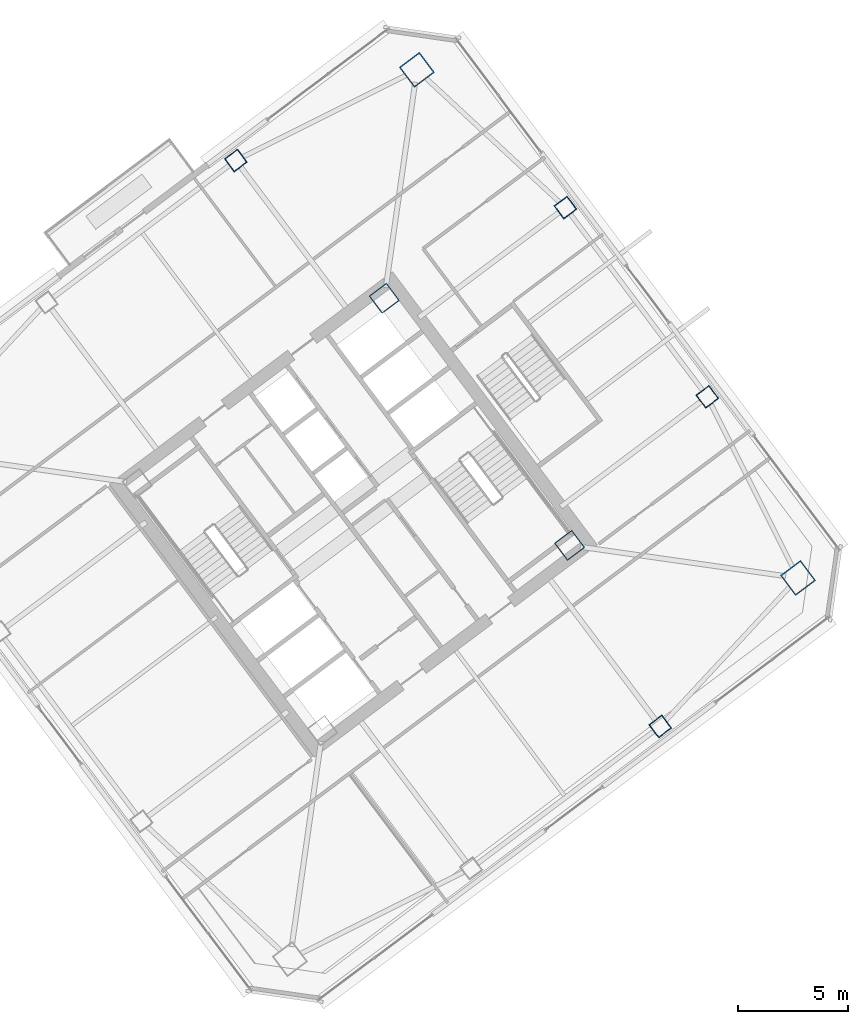
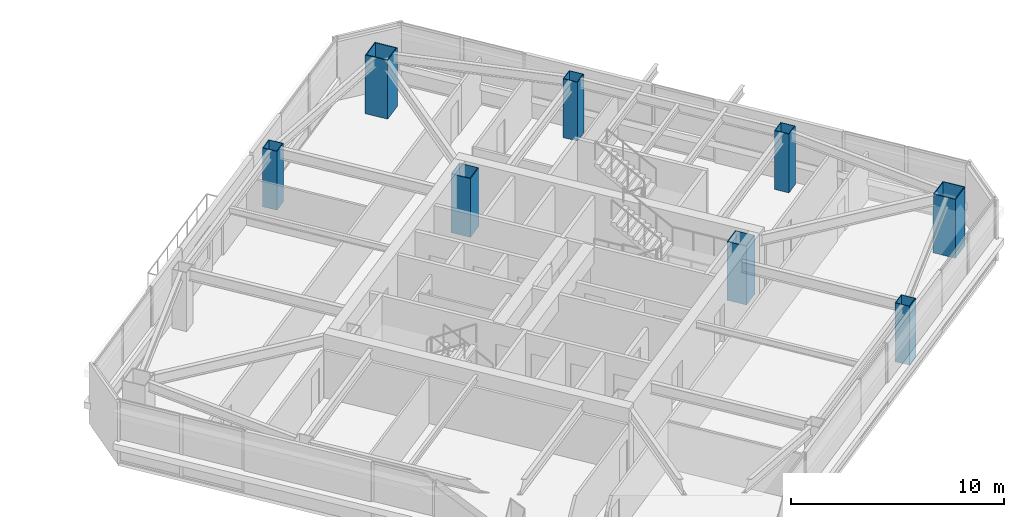
# One storey, part 2 of 44: 8 columns.
"""IFC4 building model written with IfcOpenShell, lengths in metres."""

from ifc_helpers import new_model, si_unit, direction, frame, origin, origin_2d, place, context, subcontext, project, spatial, hollow_rectangle, extrude, material, material_profile, profile_set, type_object, element, save


model = new_model("IFC4")

# Units and contexts
model_context = context("Model", 3, precision=1e-05, world=origin(), true_north=direction((0.0, 1.0)))
body_context = subcontext(model_context, "Body", "Model", "MODEL_VIEW")
ifc_project = project(units=[si_unit("LENGTHUNIT", "METRE"), si_unit("AREAUNIT", "SQUARE_METRE"), si_unit("VOLUMEUNIT", "CUBIC_METRE"), si_unit("PLANEANGLEUNIT", "RADIAN"), si_unit("MASSUNIT", "GRAM", prefix="KILO")], contexts=[model_context])

# Site, building, storey
site_placement = place(None, origin())
site = spatial("IfcSite", under=ifc_project, at=site_placement, CompositionType="ELEMENT")
building_placement = place(site_placement, origin())
building = spatial("IfcBuilding", under=site, at=building_placement, Name="Tashvorn Skyway Center", CompositionType="ELEMENT")
storey_placement = place(building_placement, frame((0.0, 0.0, 181.85009765625)))
storey = spatial("IfcBuildingStorey", under=building, at=storey_placement, Name="L49", CompositionType="ELEMENT", Elevation=181.85009765625)

# Columns
ifc_material = material(Name="Steel ASTM A572 Grade 50", Category="steel")
ifc_material_profile_1 = material_profile(ifc_material, hollow_rectangle(XDim=1.0, YDim=1.0, WallThickness=0.0400390625, at=origin_2d()), Name="BOX1000x1000x40")
ifc_profile_set_1 = profile_set([ifc_material_profile_1], Name="Steel ASTM A572 Grade 50")
column_type_1 = type_object("IfcColumnType", Name="COL-BOX1000x1000x40", PredefinedType="COLUMN", material=ifc_profile_set_1)
for number, where, z_axis, x_axis, name in (
    (1, (123.8701171875, 30.590087890625, 0.0), (0.0, 0.0, 1.0), (0.799999996291, 0.600000004945, 0.0), "Tower 2 L49 Core Corner Column CC-SE"),
    (2, (115.409912109375, 41.8701171875, 0.0), (0.0, 0.0, 1.0), (0.799999996291, 0.600000004945, 0.0), "Tower 2 L49 Core Corner Column CC-NE"),
):
    element("IfcColumn", number, at=place(storey_placement, frame(where, z_axis=z_axis, x_axis=x_axis)), inside=storey, type_object=column_type_1, Name=name, PredefinedType="COLUMN", context=body_context, shape_type="SweptSolid", body=[
        extrude(hollow_rectangle(XDim=1.0, YDim=1.0, WallThickness=0.0400390625, at=origin_2d()), origin(), (0.0, 0.0, 1.0), 3.369873046875),
    ])
ifc_material_profile_2 = material_profile(ifc_material, hollow_rectangle(XDim=1.14990234375, YDim=1.14990234375, WallThickness=0.044921875, at=origin_2d()), Name="BOX1150x1150x45")
ifc_profile_set_2 = profile_set([ifc_material_profile_2], Name="Steel ASTM A572 Grade 50")
column_type_2 = type_object("IfcColumnType", Name="COL-BOX1150x1150x45", PredefinedType="COLUMN", material=ifc_profile_set_2)
for number, where, z_axis, x_axis, name in (
    (3, (134.300048828125, 29.10009765625, 0.0), (0.0, 0.0, 1.0), (0.799999996291, 0.600000004945, 0.0), "Tower 2 L49 Mega-Column MC-SE"),
    (4, (116.89990234375, 52.300048828125, 0.0), (0.0, 0.0, 1.0), (0.799999996291, 0.600000004945, 0.0), "Tower 2 L49 Mega-Column MC-NE"),
):
    element("IfcColumn", number, at=place(storey_placement, frame(where, z_axis=z_axis, x_axis=x_axis)), inside=storey, type_object=column_type_2, Name=name, PredefinedType="COLUMN", context=body_context, shape_type="SweptSolid", body=[
        extrude(hollow_rectangle(XDim=1.14990234375, YDim=1.14990234375, WallThickness=0.044921875, at=origin_2d()), origin(), (0.0, 0.0, 1.0), 3.369873046875),
    ])
ifc_material_profile_3 = material_profile(ifc_material, hollow_rectangle(XDim=0.75, YDim=0.75, WallThickness=0.031982421875, at=origin_2d()), Name="BOX750x750x32")
ifc_profile_set_3 = profile_set([ifc_material_profile_3], Name="Steel ASTM A572 Grade 50")
column_type_3 = type_object("IfcColumnType", Name="COL-BOX750x750x32", PredefinedType="COLUMN", material=ifc_profile_set_3)
for number, where, z_axis, x_axis, name in (
    (5, (128.010009765625, 22.320068359375, 0.0), (0.0, 0.0, 1.0), (0.799999996291, 0.600000004945, 0.0), "Tower 2 L49 Perimeter Column FC-S2"),
    (6, (130.159912109375, 37.3701171875, 0.0), (0.0, 0.0, 1.0), (0.799999996291, 0.600000004945, 0.0), "Tower 2 L49 Perimeter Column FC-E1"),
    (7, (123.679931640625, 46.010009765625, 0.0), (0.0, 0.0, 1.0), (0.799999996291, 0.600000004945, 0.0), "Tower 2 L49 Perimeter Column FC-E2"),
    (8, (108.6298828125, 48.159912109375, 0.0), (0.0, 0.0, 1.0), (0.799999996291, 0.600000004945, 0.0), "Tower 2 L49 Perimeter Column FC-N1"),
):
    element("IfcColumn", number, at=place(storey_placement, frame(where, z_axis=z_axis, x_axis=x_axis)), inside=storey, type_object=column_type_3, Name=name, PredefinedType="COLUMN", context=body_context, shape_type="SweptSolid", body=[
        extrude(hollow_rectangle(XDim=0.75, YDim=0.75, WallThickness=0.031982421875, at=origin_2d()), origin(), (0.0, 0.0, 1.0), 3.369873046875),
    ])

save(model, "model.ifc")
